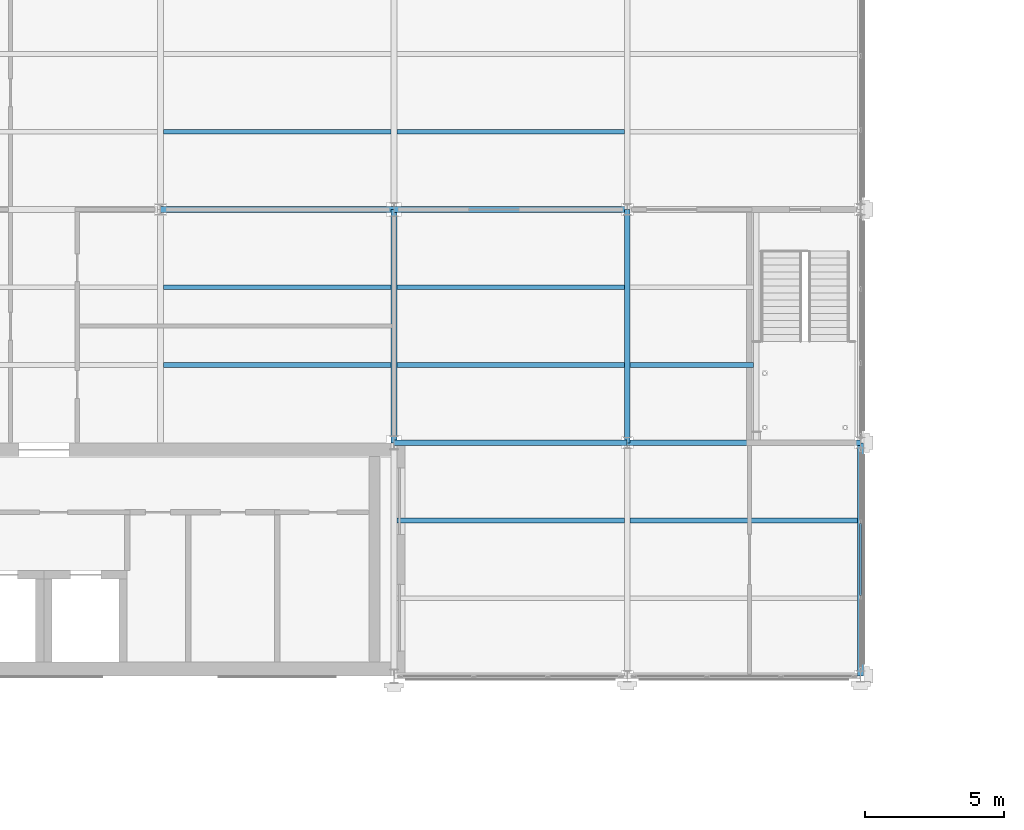
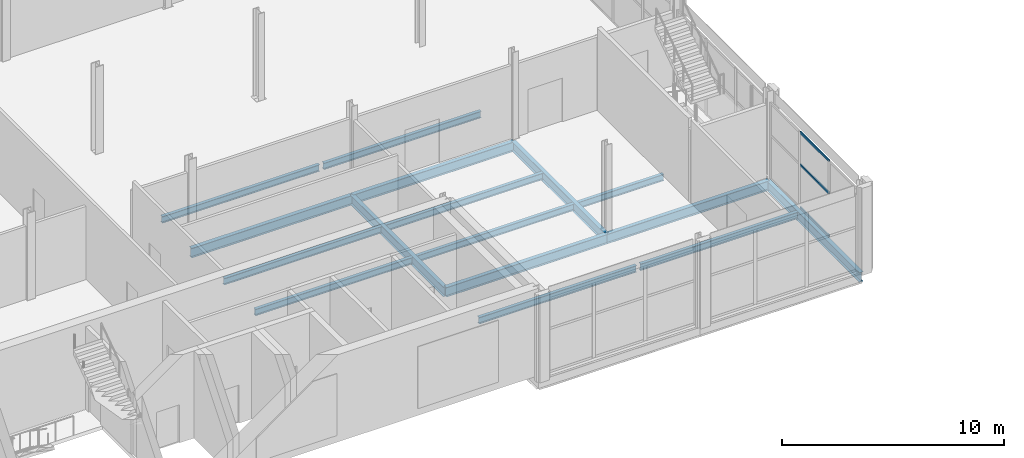
# One storey, part 121 of 167: 16 beams, 3 members, 1 element without a shape of its own.
"""IFC4 building model written with IfcOpenShell, lengths in metres."""

from ifc_helpers import new_model, si_unit, direction, frame, origin, origin_2d, place, context, subcontext, project, spatial, hollow_rectangle, i_section, extrude, material, material_profile, profile_set, type_object, element, aggregate, save


model = new_model("IFC4")

# Units and contexts
model_context = context("Model", 3, precision=1e-05, world=origin(), true_north=direction((0.0, 1.0)))
body_context = subcontext(model_context, "Body", "Model", "MODEL_VIEW")
ifc_project = project(units=[si_unit("LENGTHUNIT", "METRE"), si_unit("AREAUNIT", "SQUARE_METRE"), si_unit("VOLUMEUNIT", "CUBIC_METRE"), si_unit("PLANEANGLEUNIT", "RADIAN"), si_unit("MASSUNIT", "GRAM", prefix="KILO")], contexts=[model_context])

# Site, building, storey
site_placement = place(None, origin())
site = spatial("IfcSite", under=ifc_project, at=site_placement, CompositionType="ELEMENT")
building_placement = place(site_placement, origin())
building = spatial("IfcBuilding", under=site, at=building_placement, Name="Catenary Quay Ferry Terminal", CompositionType="ELEMENT")
storey_placement = place(building_placement, frame((0.0, 0.0, 6.0)))
storey = spatial("IfcBuildingStorey", under=building, at=storey_placement, Name="L01", CompositionType="ELEMENT", Elevation=6.0)

# Beams
ifc_material_1 = material(Name="Steel S355", Category="steel")
ifc_material_profile_1 = material_profile(ifc_material_1, i_section(OverallWidth=0.208740234375, OverallDepth=0.5283203125, WebThickness=0.009521484375, FlangeThickness=0.01318359375, at=origin_2d()), Name="UB 533x210x82")
ifc_profile_set_1 = profile_set([ifc_material_profile_1], Name="Steel S355")
beam_type_1 = type_object("IfcBeamType", Name="B5 UB 533x210x82", PredefinedType="BEAM", material=ifc_profile_set_1)
beam_1_placement = place(storey_placement, frame((50.39990234375, 168.0, -0.464111328125), z_axis=(1.0, 0.0, 0.0), x_axis=(0.0, 1.0, 0.0)))
element("IfcBeam", 1, at=beam_1_placement, inside=storey, type_object=beam_type_1, Name="Beam B5-003", PredefinedType="BEAM", context=body_context, shape_type="SweptSolid", body=[
    extrude(i_section(OverallWidth=0.208740234375, OverallDepth=0.5283203125, WebThickness=0.009521484375, FlangeThickness=0.01318359375, at=origin_2d()), origin(), (0.0, 0.0, 1.0), 8.400146484375),
])
for number, where, z_axis, x_axis, name in (
    (2, (58.800048828125, 168.0, -0.464111328125), (1.0, 0.0, 0.0), (0.0, 1.0, 0.0), "Beam B5-004"),
    (3, (42.0, 176.39990234375, -0.464111328125), (1.0, 0.0, 0.0), (0.0, 1.0, 0.0), "Beam B5-007"),
):
    element("IfcBeam", number, at=place(storey_placement, frame(where, z_axis=z_axis, x_axis=x_axis)), inside=storey, type_object=beam_type_1, Name=name, PredefinedType="BEAM", context=body_context, shape_type="SweptSolid", body=[
        extrude(i_section(OverallWidth=0.208740234375, OverallDepth=0.5283203125, WebThickness=0.009521484375, FlangeThickness=0.01318359375, at=origin_2d()), origin(), (0.0, 0.0, 1.0), 8.39990234375),
    ])
beam_2_placement = place(storey_placement, frame((50.39990234375, 176.39990234375, -0.464111328125), z_axis=(1.0, 0.0, 0.0), x_axis=(0.0, 1.0, 0.0)))
element("IfcBeam", 4, at=beam_2_placement, inside=storey, type_object=beam_type_1, Name="Beam B5-008", PredefinedType="BEAM", context=body_context, shape_type="SweptSolid", body=[
    extrude(i_section(OverallWidth=0.208740234375, OverallDepth=0.5283203125, WebThickness=0.009521484375, FlangeThickness=0.01318359375, at=origin_2d()), origin(), (0.0, 0.0, 1.0), 8.400146484375),
])
for number, where, z_axis, x_axis, name in (
    (5, (50.39990234375, 168.0, -0.464111328125), (0.0, 1.0, 0.0), (-1.0, 0.0, 0.0), "Beam B5-039"),
    (6, (58.800048828125, 168.0, -0.464111328125), (0.0, 1.0, 0.0), (-1.0, 0.0, 0.0), "Beam B5-045"),
    (7, (67.199951171875, 159.60009765625, -0.464111328125), (0.0, 1.0, 0.0), (-1.0, 0.0, 0.0), "Beam B5-050"),
):
    element("IfcBeam", number, at=place(storey_placement, frame(where, z_axis=z_axis, x_axis=x_axis)), inside=storey, type_object=beam_type_1, Name=name, PredefinedType="BEAM", context=body_context, shape_type="SweptSolid", body=[
        extrude(i_section(OverallWidth=0.208740234375, OverallDepth=0.5283203125, WebThickness=0.009521484375, FlangeThickness=0.01318359375, at=origin_2d()), origin(), (0.0, 0.0, 1.0), 8.39990234375),
    ])
ifc_material_2 = material(Name="Steel S355", Category="steel")
ifc_material_profile_2 = material_profile(ifc_material_2, i_section(OverallWidth=0.169921875, OverallDepth=0.360107421875, WebThickness=0.008056640625, FlangeThickness=0.0126953125, at=origin_2d()), Name="IPE 360")
ifc_profile_set_2 = profile_set([ifc_material_profile_2], Name="Steel S355")
beam_type_2 = type_object("IfcBeamType", Name="B7 IPE 360", PredefinedType="BEAM", material=ifc_profile_set_2)
beam_3_placement = place(storey_placement, frame((50.50390625, 165.199951171875, -0.3798828125), z_axis=(1.0, 0.0, 0.0), x_axis=(0.0, 1.0, 0.0)))
element("IfcBeam", 8, at=beam_3_placement, inside=storey, type_object=beam_type_2, Name="Beam B7-027", PredefinedType="BEAM", context=body_context, shape_type="SweptSolid", body=[
    extrude(i_section(OverallWidth=0.169921875, OverallDepth=0.360107421875, WebThickness=0.008056640625, FlangeThickness=0.0126953125, at=origin_2d()), origin(), (0.0, 0.0, 1.0), 8.192138671875),
])
for number, where, z_axis, x_axis, name in (
    (9, (58.904052734375, 165.199951171875, -0.3798828125), (1.0, 0.0, 0.0), (0.0, 1.0, 0.0), "Beam B7-028"),
    (10, (42.10400390625, 170.800048828125, -0.3798828125), (1.0, 0.0, 0.0), (0.0, 1.0, 0.0), "Beam B7-031"),
):
    element("IfcBeam", number, at=place(storey_placement, frame(where, z_axis=z_axis, x_axis=x_axis)), inside=storey, type_object=beam_type_2, Name=name, PredefinedType="BEAM", context=body_context, shape_type="SweptSolid", body=[
        extrude(i_section(OverallWidth=0.169921875, OverallDepth=0.360107421875, WebThickness=0.008056640625, FlangeThickness=0.0126953125, at=origin_2d()), origin(), (0.0, 0.0, 1.0), 8.19189453125),
    ])
beam_4_placement = place(storey_placement, frame((50.50390625, 170.800048828125, -0.3798828125), z_axis=(1.0, 0.0, 0.0), x_axis=(0.0, 1.0, 0.0)))
element("IfcBeam", 11, at=beam_4_placement, inside=storey, type_object=beam_type_2, Name="Beam B7-032", PredefinedType="BEAM", context=body_context, shape_type="SweptSolid", body=[
    extrude(i_section(OverallWidth=0.169921875, OverallDepth=0.360107421875, WebThickness=0.008056640625, FlangeThickness=0.0126953125, at=origin_2d()), origin(), (0.0, 0.0, 1.0), 8.192138671875),
])
beam_5_placement = place(storey_placement, frame((58.904052734375, 170.800048828125, -0.3798828125), z_axis=(1.0, 0.0, 0.0), x_axis=(0.0, 1.0, 0.0)))
element("IfcBeam", 12, at=beam_5_placement, inside=storey, type_object=beam_type_2, Name="Beam B7-033", PredefinedType="BEAM", context=body_context, shape_type="SweptSolid", body=[
    extrude(i_section(OverallWidth=0.169921875, OverallDepth=0.360107421875, WebThickness=0.008056640625, FlangeThickness=0.0126953125, at=origin_2d()), origin(), (0.0, 0.0, 1.0), 4.450927734375),
])
beam_6_placement = place(storey_placement, frame((42.10400390625, 173.60009765625, -0.3798828125), z_axis=(1.0, 0.0, 0.0), x_axis=(0.0, 1.0, 0.0)))
element("IfcBeam", 13, at=beam_6_placement, inside=storey, type_object=beam_type_2, Name="Beam B7-036", PredefinedType="BEAM", context=body_context, shape_type="SweptSolid", body=[
    extrude(i_section(OverallWidth=0.169921875, OverallDepth=0.360107421875, WebThickness=0.008056640625, FlangeThickness=0.0126953125, at=origin_2d()), origin(), (0.0, 0.0, 1.0), 8.19189453125),
])
beam_7_placement = place(storey_placement, frame((50.50390625, 173.60009765625, -0.3798828125), z_axis=(1.0, 0.0, 0.0), x_axis=(0.0, 1.0, 0.0)))
element("IfcBeam", 14, at=beam_7_placement, inside=storey, type_object=beam_type_2, Name="Beam B7-037", PredefinedType="BEAM", context=body_context, shape_type="SweptSolid", body=[
    extrude(i_section(OverallWidth=0.169921875, OverallDepth=0.360107421875, WebThickness=0.008056640625, FlangeThickness=0.0126953125, at=origin_2d()), origin(), (0.0, 0.0, 1.0), 8.192138671875),
])
beam_8_placement = place(storey_placement, frame((42.10400390625, 179.199951171875, -0.3798828125), z_axis=(1.0, 0.0, 0.0), x_axis=(0.0, 1.0, 0.0)))
element("IfcBeam", 15, at=beam_8_placement, inside=storey, type_object=beam_type_2, Name="Beam B7-041", PredefinedType="BEAM", context=body_context, shape_type="SweptSolid", body=[
    extrude(i_section(OverallWidth=0.169921875, OverallDepth=0.360107421875, WebThickness=0.008056640625, FlangeThickness=0.0126953125, at=origin_2d()), origin(), (0.0, 0.0, 1.0), 8.19189453125),
])
beam_9_placement = place(storey_placement, frame((50.50390625, 179.199951171875, -0.3798828125), z_axis=(1.0, 0.0, 0.0), x_axis=(0.0, 1.0, 0.0)))
element("IfcBeam", 16, at=beam_9_placement, inside=storey, type_object=beam_type_2, Name="Beam B7-042", PredefinedType="BEAM", context=body_context, shape_type="SweptSolid", body=[
    extrude(i_section(OverallWidth=0.169921875, OverallDepth=0.360107421875, WebThickness=0.008056640625, FlangeThickness=0.0126953125, at=origin_2d()), origin(), (0.0, 0.0, 1.0), 8.192138671875),
])

# Curtain wall, members
ifc_material_3 = material(Name="Aluminium and glass", Category="aluminium")
curtain_wall_type = type_object("IfcCurtainWallType", Name="CWW2", PredefinedType="NOTDEFINED", material=ifc_material_3)
curtain_wall_placement = place(storey_placement, origin())
curtain_wall = element("IfcCurtainWall", 17, at=curtain_wall_placement, inside=storey, type_object=curtain_wall_type, Name="Wing curtain wall CW116", PredefinedType="NOTDEFINED")
ifc_material_4 = material(Name="Aluminium", Category="aluminium")
ifc_material_profile_3 = material_profile(ifc_material_4, hollow_rectangle(XDim=0.06005859375, YDim=0.1201171875, WallThickness=0.0048828125, at=origin_2d()), Name="TR3")
ifc_profile_set_3 = profile_set([ifc_material_profile_3], Name="Aluminium")
member_type = type_object("IfcMemberType", Name="TR3", PredefinedType="USERDEFINED", material=ifc_profile_set_3)
member_1_placement = place(storey_placement, frame((67.199951171875, 162.501708984375, 0.030029296875), z_axis=(0.0, 1.0, 0.0), x_axis=(-1.0, 0.0, 0.0)))
member_1 = element("IfcMember", 18, at=member_1_placement, type_object=member_type, Name="CW116 transom 2.1", ObjectType="TRANSOM", PredefinedType="USERDEFINED", context=body_context, shape_type="SweptSolid", body=[
    extrude(hollow_rectangle(XDim=0.06005859375, YDim=0.1201171875, WallThickness=0.0048828125, at=origin_2d()), origin(), (0.0, 0.0, 1.0), 2.5966796875),
])
member_2_placement = place(storey_placement, frame((67.199951171875, 162.501708984375, 2.39990234375), z_axis=(0.0, 1.0, 0.0), x_axis=(-1.0, 0.0, 0.0)))
member_2 = element("IfcMember", 19, at=member_2_placement, type_object=member_type, Name="CW116 transom 2.2", ObjectType="TRANSOM", PredefinedType="USERDEFINED", context=body_context, shape_type="SweptSolid", body=[
    extrude(hollow_rectangle(XDim=0.06005859375, YDim=0.1201171875, WallThickness=0.0048828125, at=origin_2d()), origin(), (0.0, 0.0, 1.0), 2.5966796875),
])
member_3_placement = place(storey_placement, frame((67.199951171875, 162.501708984375, 4.169921875), z_axis=(0.0, 1.0, 0.0), x_axis=(-1.0, 0.0, 0.0)))
member_3 = element("IfcMember", 20, at=member_3_placement, type_object=member_type, Name="CW116 transom 2.3", ObjectType="TRANSOM", PredefinedType="USERDEFINED", context=body_context, shape_type="SweptSolid", body=[
    extrude(hollow_rectangle(XDim=0.06005859375, YDim=0.1201171875, WallThickness=0.0048828125, at=origin_2d()), origin(), (0.0, 0.0, 1.0), 2.5966796875),
])
aggregate(curtain_wall, [member_1, member_2, member_3])

save(model, "model.ifc")
